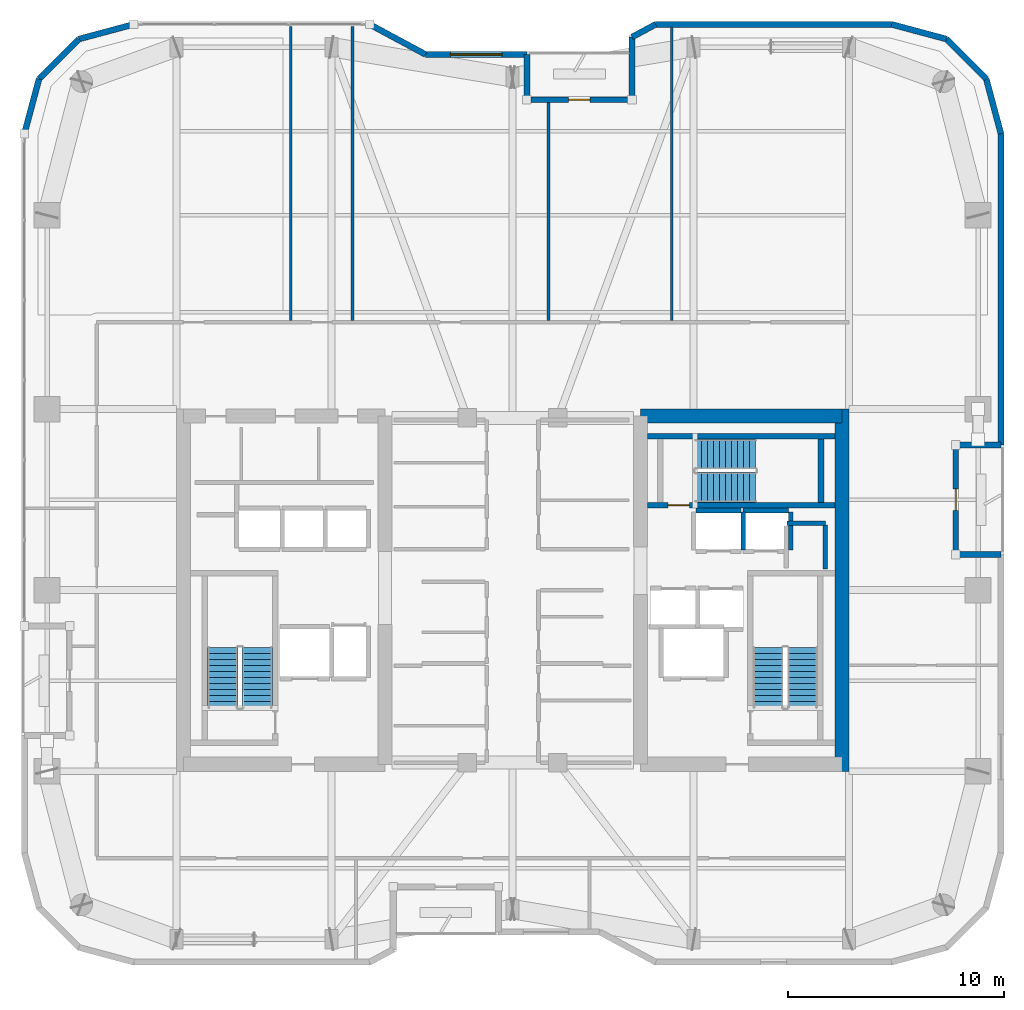
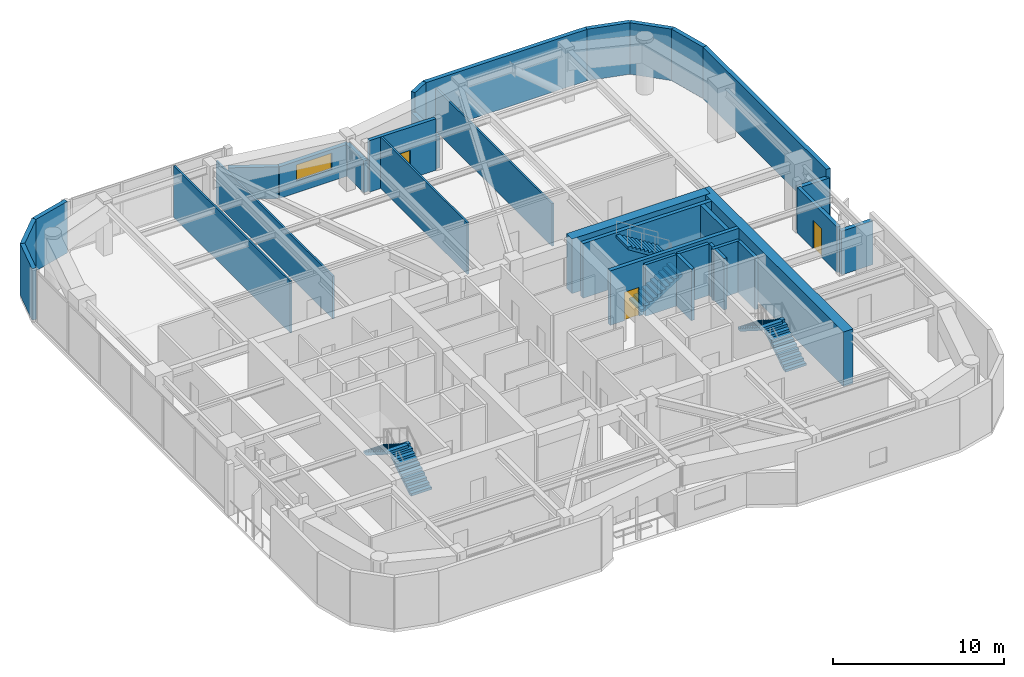
# One storey, part 18 of 21: 32 walls, 6 stair flights, 3 doors, 1 window, 4 openings, 3 elements without a shape of their own.
"""IFC4 building model written with IfcOpenShell, lengths in metres."""

from ifc_helpers import new_model, si_unit, direction, frame, frame_2d, origin, place, context, subcontext, project, spatial, polyline, rectangle, outline, extrude, material, layer, layer_set, type_object, element, fill, aggregate, save


model = new_model("IFC4")

# Units and contexts
model_context = context("Model", 3, precision=1e-05, world=origin(), true_north=direction((0.0, 1.0)))
body_context = subcontext(model_context, "Body", "Model", "MODEL_VIEW")
ifc_project = project(units=[si_unit("LENGTHUNIT", "METRE"), si_unit("AREAUNIT", "SQUARE_METRE"), si_unit("VOLUMEUNIT", "CUBIC_METRE"), si_unit("PLANEANGLEUNIT", "RADIAN"), si_unit("MASSUNIT", "GRAM", prefix="KILO")], contexts=[model_context])

# Site, building, storey
site_placement = place(None, origin())
site = spatial("IfcSite", under=ifc_project, at=site_placement, CompositionType="ELEMENT")
building_placement = place(site_placement, origin())
building = spatial("IfcBuilding", under=site, at=building_placement, Name="Kiyonajd Concourse Tower", CompositionType="ELEMENT")
storey_placement = place(building_placement, frame((0.0, 0.0, 219.300048828125)))
storey = spatial("IfcBuildingStorey", under=building, at=storey_placement, Name="L55", CompositionType="ELEMENT", Elevation=219.300048828125)

# Walls
ifc_material_1 = material(Name="Concrete C60/75", Category="concrete")
ifc_layer_1 = layer(ifc_material_1, 0.64990234375)
ifc_layer_set_1 = layer_set([ifc_layer_1], Name="Concrete C60/75")
wall_type_1 = type_object("IfcWallType", Name="WL-CORE-650", PredefinedType="SHEAR", material=ifc_layer_set_1)
wall_1_placement = place(storey_placement, frame((63.27490234375, 27.60009765625, 0.0), z_axis=(0.0, 0.0, 1.0), x_axis=(0.0, 1.0, 0.0)))
element("IfcWall", 1, at=wall_1_placement, inside=storey, type_object=wall_type_1, Name="L55 East Core Outer Shear Wall", PredefinedType="SHEAR", context=body_context, shape_type="SweptSolid", body=[
    extrude(rectangle(XDim=16.7998046875, YDim=0.64990234375, at=frame_2d((8.39990234375, 0.0))), origin(), (0.0, 0.0, 1.0), 3.89990234375),
])
wall_2_placement = place(storey_placement, frame((53.925048828125, 44.074951171875, 0.0), z_axis=(0.0, 0.0, 1.0), x_axis=(1.0, 0.0, 0.0)))
element("IfcWall", 2, at=wall_2_placement, inside=storey, type_object=wall_type_1, Name="L55 East Core North Shear Wall", PredefinedType="SHEAR", context=body_context, shape_type="SweptSolid", body=[
    extrude(rectangle(XDim=9.349853515625, YDim=0.64990234375, at=frame_2d((4.6748046875, 0.0))), origin(), (0.0, 0.0, 1.0), 3.89990234375),
])
ifc_material_2 = material(Name="Precast concrete C50/60", Category="concrete")
ifc_layer_2 = layer(ifc_material_2, 0.280029296875)
ifc_layer_set_2 = layer_set([ifc_layer_2], Name="Precast concrete C50/60")
wall_type_2 = type_object("IfcWallType", Name="WL-EXT-280", PredefinedType="SOLIDWALL", material=ifc_layer_set_2)
wall_3_placement = place(storey_placement, frame((25.340087890625, 57.181640625, 0.0), z_axis=(0.0, 0.0, 1.0), x_axis=(0.2588904131, 0.965906700466, 0.0)))
element("IfcWall", 3, at=wall_3_placement, inside=storey, type_object=wall_type_2, Name="L55 Exterior Concrete Frame Wall 06", PredefinedType="SOLIDWALL", context=body_context, shape_type="SweptSolid", body=[
    extrude(rectangle(XDim=2.6357421875, YDim=0.280029296875, at=frame_2d((1.31787109375, 0.0))), origin(), (0.0, 0.0, 1.0), 3.679931640625),
])
wall_4_placement = place(storey_placement, frame((26.0224609375, 59.7275390625, 0.0), z_axis=(0.0, 0.0, 1.0), x_axis=(0.707153437963, 0.707060121331, 0.0)))
element("IfcWall", 4, at=wall_4_placement, inside=storey, type_object=wall_type_2, Name="L55 Exterior Concrete Frame Wall 07", PredefinedType="SOLIDWALL", context=body_context, shape_type="SweptSolid", body=[
    extrude(rectangle(XDim=2.6162109375, YDim=0.280029296875, at=frame_2d((1.30810546875, 0.0))), origin(), (0.0, 0.0, 1.0), 3.679931640625),
])
wall_5_placement = place(storey_placement, frame((27.87255859375, 61.577392578125, 0.0), z_axis=(0.0, 0.0, 1.0), x_axis=(0.965883534663, 0.258976828051, 0.0)))
element("IfcWall", 5, at=wall_5_placement, inside=storey, type_object=wall_type_2, Name="L55 Exterior Concrete Frame Wall 08", PredefinedType="SOLIDWALL", context=body_context, shape_type="SweptSolid", body=[
    extrude(rectangle(XDim=2.6357421875, YDim=0.280029296875, at=frame_2d((1.31787109375, 0.0))), origin(), (0.0, 0.0, 1.0), 3.679931640625),
])
wall_6_placement = place(storey_placement, frame((41.36474609375, 62.260009765625, 0.0), z_axis=(0.0, 0.0, 1.0), x_axis=(0.880473754814, -0.474094892488, 0.0)))
element("IfcWall", 6, at=wall_6_placement, inside=storey, type_object=wall_type_2, Name="L55 Exterior Concrete Frame Wall 10", PredefinedType="SOLIDWALL", context=body_context, shape_type="SweptSolid", body=[
    extrude(rectangle(XDim=2.952880859375, YDim=0.280029296875, at=frame_2d((1.4765625, 0.0))), origin(), (0.0, 0.0, 1.0), 2.264892578125),
])

# Wall, opening, window
wall_7_placement = place(storey_placement, frame((43.964599609375, 60.860107421875, 0.0), z_axis=(0.0, 0.0, 1.0), x_axis=(1.0, 0.0, 0.0)))
wall_7 = element("IfcWall", 7, at=wall_7_placement, inside=storey, type_object=wall_type_2, Name="L55 Exterior Concrete Frame Wall 11", PredefinedType="SOLIDWALL", context=body_context, shape_type="SweptSolid", body=[
    extrude(rectangle(XDim=4.6953125, YDim=0.280029296875, at=frame_2d((2.34765625, 0.0))), origin(), (0.0, 0.0, 1.0), 2.264892578125),
])
opening_1_placement = place(wall_7_placement, frame((1.14794921875, 0.0, 0.85009765625)))
opening_1 = element("IfcOpeningElement", 8, at=opening_1_placement, cuts=wall_7, Name="Opening WN4", PredefinedType="OPENING", context=body_context, shape_type="SweptSolid", body=[
    extrude(rectangle(XDim=2.39990234375, YDim=1.14990234375, at=frame_2d((1.199951171875, 0.574951171875))), frame((0.0, 0.14990234375, 0.0), z_axis=(0.0, -1.0, 0.0), x_axis=(1.0, 0.0, 0.0)), (0.0, 0.0, 1.0), 0.300048828125),
])
ifc_material_3 = material(Name="Double Low-E Insulated Glass", Category="glass")
window_type = type_object("IfcWindowType", Name="WN-VIS-2400x1150", PartitioningType="SINGLE_PANEL", PredefinedType="WINDOW", material=ifc_material_3)
window_placement = place(opening_1_placement, origin())
window = element("IfcWindow", 9, at=window_placement, inside=storey, type_object=window_type, Name="L55 Modular Facade Vision Window 11", OverallHeight=1.14990234375, OverallWidth=2.39990234375, PartitioningType="SINGLE_PANEL", PredefinedType="WINDOW", context=body_context, shape_type="SweptSolid", body=[
    extrude(rectangle(XDim=2.39990234375, YDim=1.14990234375, at=frame_2d((1.199951171875, 0.574951171875))), frame((0.0, 0.030029296875, 0.0), z_axis=(0.0, -1.0, 0.0), x_axis=(1.0, 0.0, 0.0)), (0.0, 0.0, 1.0), 0.06005859375),
])
fill(opening_1, window)

# Walls
wall_8_placement = place(storey_placement, frame((48.659912109375, 60.860107421875, 0.0), z_axis=(0.0, 0.0, 1.0), x_axis=(0.0, -1.0, 0.0)))
element("IfcWall", 10, at=wall_8_placement, inside=storey, type_object=wall_type_2, Name="L55 Exterior Concrete Frame Wall 12", PredefinedType="SOLIDWALL", context=body_context, shape_type="SweptSolid", body=[
    extrude(rectangle(XDim=2.10009765625, YDim=0.280029296875, at=frame_2d((1.050048828125, 0.0))), origin(), (0.0, 0.0, 1.0), 2.264892578125),
])
wall_9_placement = place(storey_placement, frame((53.5400390625, 58.760009765625, 0.0), z_axis=(0.0, 0.0, 1.0), x_axis=(0.0, 1.0, 0.0)))
element("IfcWall", 11, at=wall_9_placement, inside=storey, type_object=wall_type_2, Name="L55 Exterior Concrete Frame Wall 14", PredefinedType="SOLIDWALL", context=body_context, shape_type="SweptSolid", body=[
    extrude(rectangle(XDim=2.910400390625, YDim=0.280029296875, at=frame_2d((1.455078125, 0.0))), origin(), (0.0, 0.0, 1.0), 2.264892578125),
])
wall_10_placement = place(storey_placement, frame((53.5400390625, 61.67041015625, 0.0), z_axis=(0.0, 0.0, 1.0), x_axis=(0.880515214249, 0.474017887296, 0.0)))
element("IfcWall", 12, at=wall_10_placement, inside=storey, type_object=wall_type_2, Name="L55 Exterior Concrete Frame Wall 15", PredefinedType="SOLIDWALL", context=body_context, shape_type="SweptSolid", body=[
    extrude(rectangle(XDim=1.243896484375, YDim=0.280029296875, at=frame_2d((0.6220703125, 0.0))), origin(), (0.0, 0.0, 1.0), 3.679931640625),
])
wall_11_placement = place(storey_placement, frame((54.63525390625, 62.260009765625, 0.0), z_axis=(0.0, 0.0, 1.0), x_axis=(1.0, 0.0, 0.0)))
element("IfcWall", 13, at=wall_11_placement, inside=storey, type_object=wall_type_2, Name="L55 Exterior Concrete Frame Wall 16", PredefinedType="SOLIDWALL", context=body_context, shape_type="SweptSolid", body=[
    extrude(rectangle(XDim=10.9462890625, YDim=0.280029296875, at=frame_2d((5.47314453125, 0.0))), origin(), (0.0, 0.0, 1.0), 3.679931640625),
])
wall_12_placement = place(storey_placement, frame((65.58154296875, 62.260009765625, 0.0), z_axis=(0.0, 0.0, 1.0), x_axis=(0.965883534663, -0.258976828051, 0.0)))
element("IfcWall", 14, at=wall_12_placement, inside=storey, type_object=wall_type_2, Name="L55 Exterior Concrete Frame Wall 17", PredefinedType="SOLIDWALL", context=body_context, shape_type="SweptSolid", body=[
    extrude(rectangle(XDim=2.6357421875, YDim=0.280029296875, at=frame_2d((1.31787109375, 0.0))), origin(), (0.0, 0.0, 1.0), 3.679931640625),
])
wall_13_placement = place(storey_placement, frame((68.12744140625, 61.577392578125, 0.0), z_axis=(0.0, 0.0, 1.0), x_axis=(0.707153437963, -0.707060121331, 0.0)))
element("IfcWall", 15, at=wall_13_placement, inside=storey, type_object=wall_type_2, Name="L55 Exterior Concrete Frame Wall 18", PredefinedType="SOLIDWALL", context=body_context, shape_type="SweptSolid", body=[
    extrude(rectangle(XDim=2.6162109375, YDim=0.280029296875, at=frame_2d((1.30810546875, 0.0))), origin(), (0.0, 0.0, 1.0), 3.679931640625),
])
wall_14_placement = place(storey_placement, frame((69.9775390625, 59.7275390625, 0.0), z_axis=(0.0, 0.0, 1.0), x_axis=(0.2588904131, -0.965906700466, 0.0)))
element("IfcWall", 16, at=wall_14_placement, inside=storey, type_object=wall_type_2, Name="L55 Exterior Concrete Frame Wall 19", PredefinedType="SOLIDWALL", context=body_context, shape_type="SweptSolid", body=[
    extrude(rectangle(XDim=2.6357421875, YDim=0.280029296875, at=frame_2d((1.31787109375, 0.0))), origin(), (0.0, 0.0, 1.0), 3.679931640625),
])
wall_15_placement = place(storey_placement, frame((70.659912109375, 57.181640625, 0.0), z_axis=(0.0, 0.0, 1.0), x_axis=(0.0, -1.0, 0.0)))
element("IfcWall", 17, at=wall_15_placement, inside=storey, type_object=wall_type_2, Name="L55 Exterior Concrete Frame Wall 20", PredefinedType="SOLIDWALL", context=body_context, shape_type="SweptSolid", body=[
    extrude(rectangle(XDim=14.441650390625, YDim=0.280029296875, at=frame_2d((7.220703125, 0.0))), origin(), (0.0, 0.0, 1.0), 3.679931640625),
])
for number, where, z_axis, x_axis, name in (
    (18, (70.659912109375, 42.739990234375, 0.0), (0.0, 0.0, 1.0), (-1.0, 0.0, 0.0), "L55 Exterior Concrete Frame Wall 21"),
    (19, (68.56005859375, 37.659912109375, 0.0), (0.0, 0.0, 1.0), (1.0, 0.0, 0.0), "L55 Exterior Concrete Frame Wall 23"),
):
    element("IfcWall", number, at=place(storey_placement, frame(where, z_axis=z_axis, x_axis=x_axis)), inside=storey, type_object=wall_type_2, Name=name, PredefinedType="SOLIDWALL", context=body_context, shape_type="SweptSolid", body=[
        extrude(rectangle(XDim=2.099853515625, YDim=0.280029296875, at=frame_2d((1.0498046875, 0.0))), origin(), (0.0, 0.0, 1.0), 3.115966796875),
    ])

# Wall, opening, door
ifc_layer_3 = layer(ifc_material_2, 0.239990234375)
ifc_layer_set_3 = layer_set([ifc_layer_3], Name="Precast concrete C50/60")
wall_type_3 = type_object("IfcWallType", Name="WL-LOG-240", PredefinedType="SOLIDWALL", material=ifc_layer_set_3)
wall_16_placement = place(storey_placement, frame((48.85498046875, 58.760009765625, 0.0), z_axis=(0.0, 0.0, 1.0), x_axis=(1.0, 0.0, 0.0)))
wall_16 = element("IfcWall", 20, at=wall_16_placement, inside=storey, type_object=wall_type_3, Name="L55 Recessed Loggia Thermal Wall LOG-N", PredefinedType="SOLIDWALL", context=body_context, shape_type="SweptSolid", body=[
    extrude(rectangle(XDim=4.489990234375, YDim=0.239990234375, at=frame_2d((2.2451171875, 0.0))), origin(), (0.0, 0.0, 1.0), 3.679931640625),
])
opening_2_placement = place(wall_16_placement, frame((1.7451171875, 0.0, 0.0)))
opening_2 = element("IfcOpeningElement", 21, at=opening_2_placement, cuts=wall_16, Name="Opening DL1", PredefinedType="OPENING", context=body_context, shape_type="SweptSolid", body=[
    extrude(rectangle(XDim=1.0, YDim=2.02001953125, at=frame_2d((0.5, 1.010009765625))), frame((0.0, 0.1298828125, 0.0), z_axis=(0.0, -1.0, 0.0), x_axis=(1.0, 0.0, 0.0)), (0.0, 0.0, 1.0), 0.260009765625),
])
ifc_material_4 = material(Name="Thermally Broken Anodised Aluminium", Category="aluminium")
door_type_1 = type_object("IfcDoorType", Name="DR-LOG-1000", OperationType="NOTDEFINED", PredefinedType="DOOR", material=ifc_material_4)
door_1_placement = place(opening_2_placement, origin())
door_1 = element("IfcDoor", 22, at=door_1_placement, inside=storey, type_object=door_type_1, Name="L55 Engawa Loggia Access Door LOG-N", OperationType="SINGLE_SWING_RIGHT", OverallHeight=2.02001953125, OverallWidth=1.0, PredefinedType="DOOR", context=body_context, shape_type="SweptSolid", body=[
    extrude(rectangle(XDim=1.0, YDim=2.02001953125, at=frame_2d((0.5, 1.010009765625))), frame((0.0, 0.02490234375, 0.0), z_axis=(0.0, -1.0, 0.0), x_axis=(1.0, 0.0, 0.0)), (0.0, 0.0, 1.0), 0.050048828125),
])
fill(opening_2, door_1)

wall_17_placement = place(storey_placement, frame((68.56005859375, 42.544921875, 0.0), z_axis=(0.0, 0.0, 1.0), x_axis=(0.0, -1.0, 0.0)))
wall_17 = element("IfcWall", 23, at=wall_17_placement, inside=storey, type_object=wall_type_3, Name="L55 Recessed Loggia Thermal Wall LOG-E", PredefinedType="SOLIDWALL", context=body_context, shape_type="SweptSolid", body=[
    extrude(rectangle(XDim=4.68994140625, YDim=0.239990234375, at=frame_2d((2.344970703125, 0.0))), origin(), (0.0, 0.0, 1.0), 3.248046875),
])
opening_3_placement = place(wall_17_placement, frame((1.844970703125, 0.0, 0.0)))
opening_3 = element("IfcOpeningElement", 24, at=opening_3_placement, cuts=wall_17, Name="Opening DL1", PredefinedType="OPENING", context=body_context, shape_type="SweptSolid", body=[
    extrude(rectangle(XDim=1.0, YDim=2.02001953125, at=frame_2d((0.5, 1.010009765625))), frame((0.0, 0.1298828125, 0.0), z_axis=(0.0, -1.0, 0.0), x_axis=(1.0, 0.0, 0.0)), (0.0, 0.0, 1.0), 0.260009765625),
])
door_2_placement = place(opening_3_placement, origin())
door_2 = element("IfcDoor", 25, at=door_2_placement, inside=storey, type_object=door_type_1, Name="L55 Engawa Loggia Access Door LOG-E", OperationType="SINGLE_SWING_LEFT", OverallHeight=2.02001953125, OverallWidth=1.0, PredefinedType="DOOR", context=body_context, shape_type="SweptSolid", body=[
    extrude(rectangle(XDim=1.0, YDim=2.02001953125, at=frame_2d((0.5, 1.010009765625))), frame((0.0, 0.02490234375, 0.0), z_axis=(0.0, -1.0, 0.0), x_axis=(1.0, 0.0, 0.0)), (0.0, 0.0, 1.0), 0.050048828125),
])
fill(opening_3, door_2)

# Walls
ifc_material_5 = material(Name="Gypsum Board on Cold-Formed Steel Stud", Category="steel")
ifc_layer_4 = layer(ifc_material_5, 0.125)
ifc_layer_set_4 = layer_set([ifc_layer_4], Name="Gypsum Board on Cold-Formed Steel Stud")
wall_type_4 = type_object("IfcWallType", Name="WL-PART-125", PredefinedType="PARTITIONING", material=ifc_layer_set_4)
wall_18_placement = place(storey_placement, frame((37.699951171875, 48.51708984375, 0.0), z_axis=(0.0, 0.0, 1.0), x_axis=(0.0, 1.0, 0.0)))
element("IfcWall", 26, at=wall_18_placement, inside=storey, type_object=wall_type_4, Name="L55 Interior Partition Wall", PredefinedType="PARTITIONING", context=body_context, shape_type="SweptSolid", body=[
    extrude(rectangle(XDim=13.64794921875, YDim=0.125, at=frame_2d((6.823974609375, 0.0))), origin(), (0.0, 0.0, 1.0), 3.679931640625),
])
wall_19_placement = place(storey_placement, frame((40.570068359375, 48.51708984375, 0.0), z_axis=(0.0, 0.0, 1.0), x_axis=(0.0, 1.0, 0.0)))
element("IfcWall", 27, at=wall_19_placement, inside=storey, type_object=wall_type_4, Name="L55 Interior Partition Wall", PredefinedType="PARTITIONING", context=body_context, shape_type="SweptSolid", body=[
    extrude(rectangle(XDim=13.64794921875, YDim=0.125, at=frame_2d((6.823974609375, 0.0))), origin(), (0.0, 0.0, 1.0), 3.04296875),
])
wall_20_placement = place(storey_placement, frame((49.659912109375, 48.51708984375, 0.0), z_axis=(0.0, 0.0, 1.0), x_axis=(0.0, 1.0, 0.0)))
element("IfcWall", 28, at=wall_20_placement, inside=storey, type_object=wall_type_4, Name="L55 Interior Partition Wall", PredefinedType="PARTITIONING", context=body_context, shape_type="SweptSolid", body=[
    extrude(rectangle(XDim=10.1279296875, YDim=0.125, at=frame_2d((5.06396484375, 0.0))), origin(), (0.0, 0.0, 1.0), 3.679931640625),
])
wall_21_placement = place(storey_placement, frame((55.389892578125, 48.51708984375, 0.0), z_axis=(0.0, 0.0, 1.0), x_axis=(0.0, 1.0, 0.0)))
element("IfcWall", 29, at=wall_21_placement, inside=storey, type_object=wall_type_4, Name="L55 Interior Partition Wall", PredefinedType="PARTITIONING", context=body_context, shape_type="SweptSolid", body=[
    extrude(rectangle(XDim=13.60791015625, YDim=0.125, at=frame_2d((6.803955078125, 0.0))), origin(), (0.0, 0.0, 1.0), 3.04296875),
])
ifc_layer_5 = layer(ifc_material_5, 0.2099609375)
ifc_layer_set_5 = layer_set([ifc_layer_5], Name="Gypsum Board on Cold-Formed Steel Stud")
wall_type_5 = type_object("IfcWallType", Name="WL-SHAFT-210", PredefinedType="PARTITIONING", material=ifc_layer_set_5)
wall_22_placement = place(storey_placement, frame((60.719970703125, 39.10009765625, 0.0), z_axis=(0.0, 0.0, 1.0), x_axis=(1.0, 0.0, 0.0)))
element("IfcWall", 30, at=wall_22_placement, inside=storey, type_object=wall_type_5, Name="L55 Shaft Enclosure Wall", PredefinedType="PARTITIONING", context=body_context, shape_type="SweptSolid", body=[
    extrude(rectangle(XDim=1.800048828125, YDim=0.2099609375, at=frame_2d((0.89990234375, 0.0))), origin(), (0.0, 0.0, 1.0), 3.679931640625),
])
wall_23_placement = place(storey_placement, frame((62.5, 36.97998046875, 0.0), z_axis=(0.0, 0.0, 1.0), x_axis=(0.0, 1.0, 0.0)))
element("IfcWall", 31, at=wall_23_placement, inside=storey, type_object=wall_type_5, Name="L55 Shaft Enclosure Wall", PredefinedType="PARTITIONING", context=body_context, shape_type="SweptSolid", body=[
    extrude(rectangle(XDim=2.0400390625, YDim=0.2099609375, at=frame_2d((1.02001953125, 0.0))), origin(), (0.0, 0.0, 1.0), 3.679931640625),
])
wall_24_placement = place(storey_placement, frame((56.5, 39.699951171875, 0.0), z_axis=(0.0, 0.0, 1.0), x_axis=(1.0, 0.0, 0.0)))
element("IfcWall", 32, at=wall_24_placement, inside=storey, type_object=wall_type_5, Name="L55 Shaft Enclosure Wall", PredefinedType="PARTITIONING", context=body_context, shape_type="SweptSolid", body=[
    extrude(rectangle(XDim=2.10009765625, YDim=0.2099609375, at=frame_2d((1.050048828125, 0.0))), origin(), (0.0, 0.0, 1.0), 3.679931640625),
])
wall_25_placement = place(storey_placement, frame((58.699951171875, 37.860107421875, 0.0), z_axis=(0.0, 0.0, 1.0), x_axis=(0.0, 1.0, 0.0)))
element("IfcWall", 33, at=wall_25_placement, inside=storey, type_object=wall_type_5, Name="L55 Shaft Enclosure Wall", PredefinedType="PARTITIONING", context=body_context, shape_type="SweptSolid", body=[
    extrude(rectangle(XDim=1.77978515625, YDim=0.2099609375, at=frame_2d((0.889892578125, 0.0))), origin(), (0.0, 0.0, 1.0), 3.679931640625),
])
wall_26_placement = place(storey_placement, frame((58.699951171875, 39.699951171875, 0.0), z_axis=(0.0, 0.0, 1.0), x_axis=(1.0, 0.0, 0.0)))
element("IfcWall", 34, at=wall_26_placement, inside=storey, type_object=wall_type_5, Name="L55 Shaft Enclosure Wall", PredefinedType="PARTITIONING", context=body_context, shape_type="SweptSolid", body=[
    extrude(rectangle(XDim=2.10009765625, YDim=0.2099609375, at=frame_2d((1.050048828125, 0.0))), origin(), (0.0, 0.0, 1.0), 3.679931640625),
])
wall_27_placement = place(storey_placement, frame((60.89990234375, 37.860107421875, 0.0), z_axis=(0.0, 0.0, 1.0), x_axis=(0.0, 1.0, 0.0)))
element("IfcWall", 35, at=wall_27_placement, inside=storey, type_object=wall_type_5, Name="L55 Shaft Enclosure Wall", PredefinedType="PARTITIONING", context=body_context, shape_type="SweptSolid", body=[
    extrude(rectangle(XDim=1.77978515625, YDim=0.2099609375, at=frame_2d((0.889892578125, 0.0))), origin(), (0.0, 0.0, 1.0), 3.679931640625),
])

# Wall, opening, door
ifc_material_6 = material(Name="Concrete C50/60", Category="concrete")
ifc_layer_6 = layer(ifc_material_6, 0.260009765625)
ifc_layer_set_6 = layer_set([ifc_layer_6], Name="Concrete C50/60")
wall_type_6 = type_object("IfcWallType", Name="WL-STAIR-260", PredefinedType="SHEAR", material=ifc_layer_set_6)
wall_28_placement = place(storey_placement, frame((54.25, 39.949951171875, 0.0), z_axis=(0.0, 0.0, 1.0), x_axis=(1.0, 0.0, 0.0)))
wall_28 = element("IfcWall", 36, at=wall_28_placement, inside=storey, type_object=wall_type_6, Name="L55 Stair ST3 Structural South Wall", PredefinedType="SHEAR", context=body_context, shape_type="SweptSolid", body=[
    extrude(rectangle(XDim=8.699951171875, YDim=0.260009765625, at=frame_2d((4.35009765625, 0.0))), origin(), (0.0, 0.0, 1.0), 3.89990234375),
])
opening_4_placement = place(wall_28_placement, frame((0.949951171875, 0.0, 0.0)))
opening_4 = element("IfcOpeningElement", 37, at=opening_4_placement, cuts=wall_28, Name="Opening DF1", PredefinedType="OPENING", context=body_context, shape_type="SweptSolid", body=[
    extrude(rectangle(XDim=1.0, YDim=2.0400390625, at=frame_2d((0.5, 1.02001953125))), frame((0.0, 0.139892578125, 0.0), z_axis=(0.0, -1.0, 0.0), x_axis=(1.0, 0.0, 0.0)), (0.0, 0.0, 1.0), 0.280029296875),
])
ifc_material_7 = material(Name="Brushed Stainless Steel Cab Assembly", Category="steel")
door_type_2 = type_object("IfcDoorType", Name="DR-FD90-1000", OperationType="NOTDEFINED", PredefinedType="DOOR", material=ifc_material_7)
door_3_placement = place(opening_4_placement, origin())
door_3 = element("IfcDoor", 38, at=door_3_placement, inside=storey, type_object=door_type_2, Name="L55 Stair ST3 Enclosure Door", OperationType="SINGLE_SWING_LEFT", OverallHeight=2.0400390625, OverallWidth=1.0, PredefinedType="DOOR", context=body_context, shape_type="SweptSolid", body=[
    extrude(rectangle(XDim=1.0, YDim=2.0400390625, at=frame_2d((0.5, 1.02001953125))), frame((0.0, 0.02490234375, 0.0), z_axis=(0.0, -1.0, 0.0), x_axis=(1.0, 0.0, 0.0)), (0.0, 0.0, 1.0), 0.050048828125),
])
fill(opening_4, door_3)

# Walls
wall_29_placement = place(storey_placement, frame((54.25, 43.14990234375, 0.0), z_axis=(0.0, 0.0, 1.0), x_axis=(1.0, 0.0, 0.0)))
element("IfcWall", 39, at=wall_29_placement, inside=storey, type_object=wall_type_6, Name="L55 Stair ST3 Structural North Wall", PredefinedType="SHEAR", context=body_context, shape_type="SweptSolid", body=[
    extrude(rectangle(XDim=8.699951171875, YDim=0.260009765625, at=frame_2d((4.35009765625, 0.0))), origin(), (0.0, 0.0, 1.0), 3.89990234375),
])
wall_30_placement = place(storey_placement, frame((62.31005859375, 40.080078125, 0.0), z_axis=(0.0, 0.0, 1.0), x_axis=(0.0, 1.0, 0.0)))
element("IfcWall", 40, at=wall_30_placement, inside=storey, type_object=wall_type_6, Name="L55 Stair ST3 Structural East Wall", PredefinedType="SHEAR", context=body_context, shape_type="SweptSolid", body=[
    extrude(rectangle(XDim=2.93994140625, YDim=0.260009765625, at=frame_2d((1.469970703125, 0.0))), origin(), (0.0, 0.0, 1.0), 3.89990234375),
])

# Stair, stair flights
ifc_material_8 = material(Name="Concrete C40/50", Category="concrete")
stair_type = type_object("IfcStairType", Name="ST-DLG-22R", PredefinedType="HALF_TURN_STAIR", material=ifc_material_8)
stair_1_placement = place(storey_placement, origin())
stair_1 = element("IfcStair", 41, at=stair_1_placement, inside=storey, type_object=stair_type, Name="L55 Protected Exit Stair ST1", PredefinedType="HALF_TURN_STAIR")
stair_flight_type = type_object("IfcStairFlightType", Name="SF-STR-22R", PredefinedType="STRAIGHT", material=ifc_material_8)
stair_flight_1_placement = place(storey_placement, frame((36.14990234375, 30.550048828125, 0.0), z_axis=(0.0, 0.0, 1.0), x_axis=(0.0, 1.0, 0.0)))
stair_flight_1 = element("IfcStairFlight", 42, at=stair_flight_1_placement, type_object=stair_flight_type, Name="ST1 flight 1", NumberOfRisers=11, NumberOfTreads=10, PredefinedType="STRAIGHT", RiserHeight=0.177272727, TreadLength=0.28, context=body_context, shape_type="SweptSolid", body=[
    extrude(outline(polyline([(0.0, 0.0), (0.0, 0.17724609375), (0.280029296875, 0.17724609375), (0.280029296875, 0.3544921875), (0.56005859375, 0.3544921875), (0.56005859375, 0.53173828125), (0.840087890625, 0.53173828125), (0.840087890625, 0.708984375), (1.1201171875, 0.708984375), (1.1201171875, 0.886474609375), (1.39990234375, 0.886474609375), (1.39990234375, 1.063720703125), (1.679931640625, 1.063720703125), (1.679931640625, 1.240966796875), (1.9599609375, 1.240966796875), (1.9599609375, 1.418212890625), (2.239990234375, 1.418212890625), (2.239990234375, 1.595458984375), (2.52001953125, 1.595458984375), (2.52001953125, 1.772705078125), (2.800048828125, 1.772705078125), (2.800048828125, 1.949951171875), (2.800048828125, 1.59521484375), (0.2802734375, 0.0), (0.0, 0.0)])), frame((0.0, 0.699951171875, 0.0), z_axis=(0.0, -1.0, 0.0), x_axis=(1.0, 0.0, 0.0)), (0.0, 0.0, 1.0), 1.39990234375),
])
stair_flight_2_placement = place(storey_placement, frame((34.550048828125, 33.35009765625, 1.949951171875), z_axis=(0.0, 0.0, 1.0), x_axis=(0.0, -1.0, 0.0)))
stair_flight_2 = element("IfcStairFlight", 43, at=stair_flight_2_placement, type_object=stair_flight_type, Name="ST1 flight 2", NumberOfRisers=11, NumberOfTreads=10, PredefinedType="STRAIGHT", RiserHeight=0.177272727, TreadLength=0.28, context=body_context, shape_type="SweptSolid", body=[
    extrude(outline(polyline([(0.0, 0.0), (0.0, 0.17724609375), (0.280029296875, 0.17724609375), (0.280029296875, 0.3544921875), (0.56005859375, 0.3544921875), (0.56005859375, 0.53173828125), (0.840087890625, 0.53173828125), (0.840087890625, 0.708984375), (1.1201171875, 0.708984375), (1.1201171875, 0.886474609375), (1.39990234375, 0.886474609375), (1.39990234375, 1.063720703125), (1.679931640625, 1.063720703125), (1.679931640625, 1.240966796875), (1.9599609375, 1.240966796875), (1.9599609375, 1.418212890625), (2.239990234375, 1.418212890625), (2.239990234375, 1.595458984375), (2.52001953125, 1.595458984375), (2.52001953125, 1.772705078125), (2.800048828125, 1.772705078125), (2.800048828125, 1.949951171875), (2.800048828125, 1.59521484375), (0.2802734375, 0.0), (0.0, 0.0)])), frame((0.0, 0.699951171875, 0.0), z_axis=(0.0, -1.0, 0.0), x_axis=(1.0, 0.0, 0.0)), (0.0, 0.0, 1.0), 1.39990234375),
])
aggregate(stair_1, [stair_flight_1, stair_flight_2])

stair_2_placement = place(storey_placement, origin())
stair_2 = element("IfcStair", 44, at=stair_2_placement, inside=storey, type_object=stair_type, Name="L55 Protected Exit Stair ST2", PredefinedType="HALF_TURN_STAIR")
stair_flight_3_placement = place(storey_placement, frame((61.449951171875, 30.550048828125, 0.0), z_axis=(0.0, 0.0, 1.0), x_axis=(0.0, 1.0, 0.0)))
stair_flight_3 = element("IfcStairFlight", 45, at=stair_flight_3_placement, type_object=stair_flight_type, Name="ST2 flight 1", NumberOfRisers=11, NumberOfTreads=10, PredefinedType="STRAIGHT", RiserHeight=0.177272727, TreadLength=0.28, context=body_context, shape_type="SweptSolid", body=[
    extrude(outline(polyline([(0.0, 0.0), (0.0, 0.17724609375), (0.280029296875, 0.17724609375), (0.280029296875, 0.3544921875), (0.56005859375, 0.3544921875), (0.56005859375, 0.53173828125), (0.840087890625, 0.53173828125), (0.840087890625, 0.708984375), (1.1201171875, 0.708984375), (1.1201171875, 0.886474609375), (1.39990234375, 0.886474609375), (1.39990234375, 1.063720703125), (1.679931640625, 1.063720703125), (1.679931640625, 1.240966796875), (1.9599609375, 1.240966796875), (1.9599609375, 1.418212890625), (2.239990234375, 1.418212890625), (2.239990234375, 1.595458984375), (2.52001953125, 1.595458984375), (2.52001953125, 1.772705078125), (2.800048828125, 1.772705078125), (2.800048828125, 1.949951171875), (2.800048828125, 1.59521484375), (0.2802734375, 0.0), (0.0, 0.0)])), frame((0.0, 0.699951171875, 0.0), z_axis=(0.0, -1.0, 0.0), x_axis=(1.0, 0.0, 0.0)), (0.0, 0.0, 1.0), 1.39990234375),
])
stair_flight_4_placement = place(storey_placement, frame((59.85009765625, 33.35009765625, 1.949951171875), z_axis=(0.0, 0.0, 1.0), x_axis=(0.0, -1.0, 0.0)))
stair_flight_4 = element("IfcStairFlight", 46, at=stair_flight_4_placement, type_object=stair_flight_type, Name="ST2 flight 2", NumberOfRisers=11, NumberOfTreads=10, PredefinedType="STRAIGHT", RiserHeight=0.177272727, TreadLength=0.28, context=body_context, shape_type="SweptSolid", body=[
    extrude(outline(polyline([(0.0, 0.0), (0.0, 0.17724609375), (0.280029296875, 0.17724609375), (0.280029296875, 0.3544921875), (0.56005859375, 0.3544921875), (0.56005859375, 0.53173828125), (0.840087890625, 0.53173828125), (0.840087890625, 0.708984375), (1.1201171875, 0.708984375), (1.1201171875, 0.886474609375), (1.39990234375, 0.886474609375), (1.39990234375, 1.063720703125), (1.679931640625, 1.063720703125), (1.679931640625, 1.240966796875), (1.9599609375, 1.240966796875), (1.9599609375, 1.418212890625), (2.239990234375, 1.418212890625), (2.239990234375, 1.595458984375), (2.52001953125, 1.595458984375), (2.52001953125, 1.772705078125), (2.800048828125, 1.772705078125), (2.800048828125, 1.949951171875), (2.800048828125, 1.59521484375), (0.2802734375, 0.0), (0.0, 0.0)])), frame((0.0, 0.699951171875, 0.0), z_axis=(0.0, -1.0, 0.0), x_axis=(1.0, 0.0, 0.0)), (0.0, 0.0, 1.0), 1.39990234375),
])
aggregate(stair_2, [stair_flight_3, stair_flight_4])

stair_3_placement = place(storey_placement, origin())
stair_3 = element("IfcStair", 47, at=stair_3_placement, inside=storey, type_object=stair_type, Name="L55 Protected Exit Stair ST3", PredefinedType="HALF_TURN_STAIR")
stair_flight_5_placement = place(storey_placement, frame((56.47998046875, 40.780029296875, 0.0), z_axis=(0.0, 0.0, 1.0), x_axis=(1.0, 0.0, 0.0)))
stair_flight_5 = element("IfcStairFlight", 48, at=stair_flight_5_placement, type_object=stair_flight_type, Name="ST3 flight 1", NumberOfRisers=11, NumberOfTreads=10, PredefinedType="STRAIGHT", RiserHeight=0.177272727, TreadLength=0.28, context=body_context, shape_type="SweptSolid", body=[
    extrude(outline(polyline([(0.0, 0.0), (0.0, 0.17724609375), (0.280029296875, 0.17724609375), (0.280029296875, 0.3544921875), (0.56005859375, 0.3544921875), (0.56005859375, 0.53173828125), (0.840087890625, 0.53173828125), (0.840087890625, 0.708984375), (1.1201171875, 0.708984375), (1.1201171875, 0.886474609375), (1.39990234375, 0.886474609375), (1.39990234375, 1.063720703125), (1.679931640625, 1.063720703125), (1.679931640625, 1.240966796875), (1.9599609375, 1.240966796875), (1.9599609375, 1.418212890625), (2.239990234375, 1.418212890625), (2.239990234375, 1.595458984375), (2.52001953125, 1.595458984375), (2.52001953125, 1.772705078125), (2.800048828125, 1.772705078125), (2.800048828125, 1.949951171875), (2.800048828125, 1.59521484375), (0.2802734375, 0.0), (0.0, 0.0)])), frame((0.0, 0.699951171875, 0.0), z_axis=(0.0, -1.0, 0.0), x_axis=(1.0, 0.0, 0.0)), (0.0, 0.0, 1.0), 1.39990234375),
])
stair_flight_6_placement = place(storey_placement, frame((59.280029296875, 42.320068359375, 1.949951171875), z_axis=(0.0, 0.0, 1.0), x_axis=(-1.0, 0.0, 0.0)))
stair_flight_6 = element("IfcStairFlight", 49, at=stair_flight_6_placement, type_object=stair_flight_type, Name="ST3 flight 2", NumberOfRisers=11, NumberOfTreads=10, PredefinedType="STRAIGHT", RiserHeight=0.177272727, TreadLength=0.28, context=body_context, shape_type="SweptSolid", body=[
    extrude(outline(polyline([(0.0, 0.0), (0.0, 0.17724609375), (0.280029296875, 0.17724609375), (0.280029296875, 0.3544921875), (0.56005859375, 0.3544921875), (0.56005859375, 0.53173828125), (0.840087890625, 0.53173828125), (0.840087890625, 0.708984375), (1.1201171875, 0.708984375), (1.1201171875, 0.886474609375), (1.39990234375, 0.886474609375), (1.39990234375, 1.063720703125), (1.679931640625, 1.063720703125), (1.679931640625, 1.240966796875), (1.9599609375, 1.240966796875), (1.9599609375, 1.418212890625), (2.239990234375, 1.418212890625), (2.239990234375, 1.595458984375), (2.52001953125, 1.595458984375), (2.52001953125, 1.772705078125), (2.800048828125, 1.772705078125), (2.800048828125, 1.949951171875), (2.800048828125, 1.59521484375), (0.2802734375, 0.0), (0.0, 0.0)])), frame((0.0, 0.699951171875, 0.0), z_axis=(0.0, -1.0, 0.0), x_axis=(1.0, 0.0, 0.0)), (0.0, 0.0, 1.0), 1.39990234375),
])
aggregate(stair_3, [stair_flight_5, stair_flight_6])

save(model, "model.ifc")
